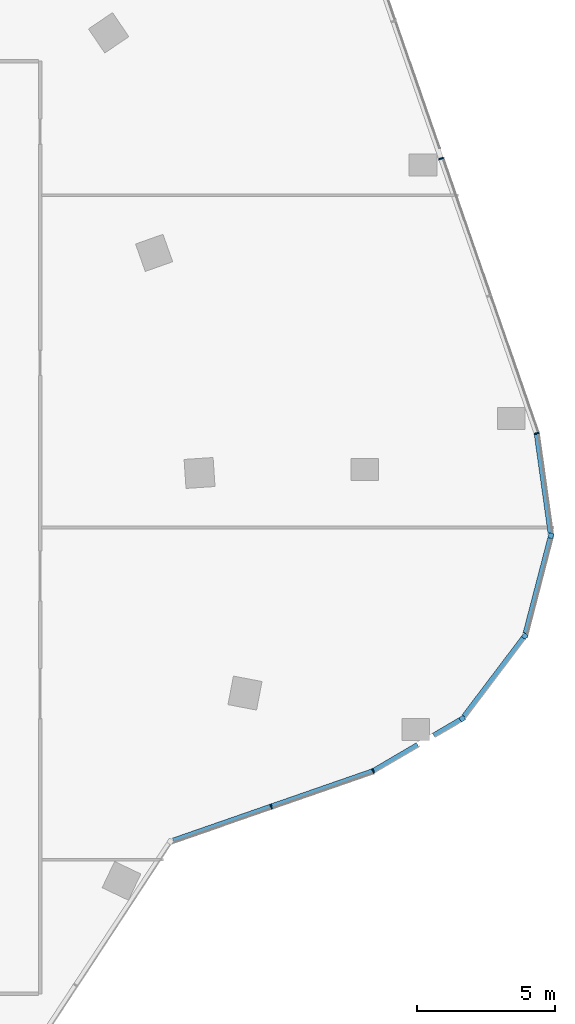
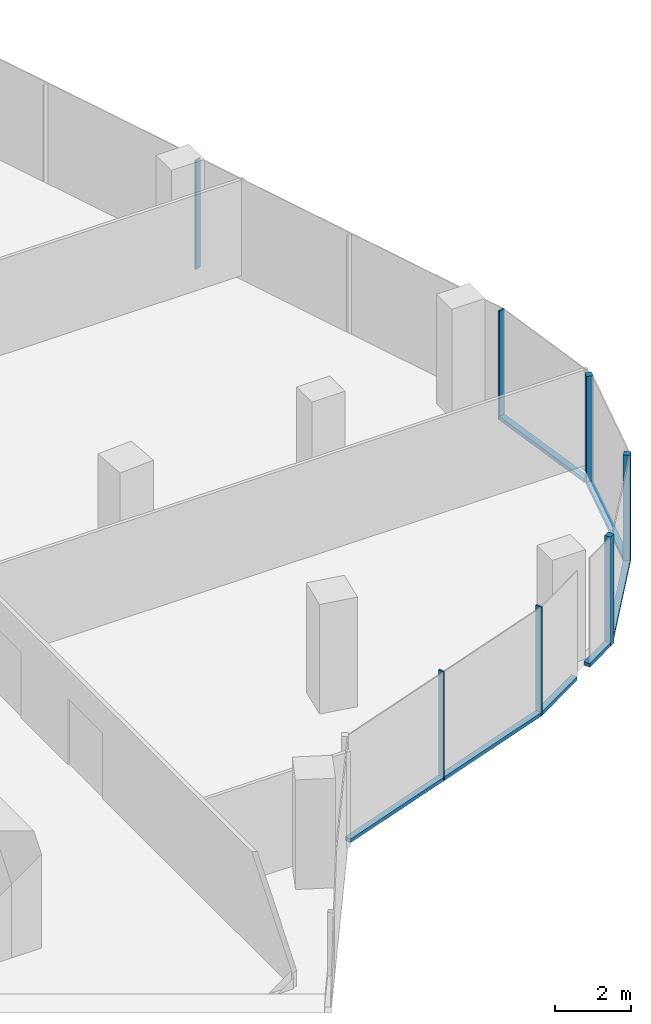
# One storey, part 8 of 24: 13 members, 6 elements without a shape of their own.
"""IFC4 building model written with IfcOpenShell, lengths in metres."""

from ifc_helpers import new_model, si_unit, direction, frame, origin, origin_2d, place, context, subcontext, project, spatial, rectangle, extrude, material, material_profile, profile_set, type_object, element, aggregate, save


model = new_model("IFC4")

# Units and contexts
model_context = context("Model", 3, precision=1e-05, world=origin(), true_north=direction((0.0, 1.0)))
body_context = subcontext(model_context, "Body", "Model", "MODEL_VIEW")
ifc_project = project(units=[si_unit("LENGTHUNIT", "METRE"), si_unit("AREAUNIT", "SQUARE_METRE"), si_unit("VOLUMEUNIT", "CUBIC_METRE"), si_unit("PLANEANGLEUNIT", "RADIAN"), si_unit("MASSUNIT", "GRAM", prefix="KILO")], contexts=[model_context])

# Site, building, storey
site_placement = place(None, origin())
site = spatial("IfcSite", under=ifc_project, at=site_placement, CompositionType="ELEMENT")
building_placement = place(site_placement, origin())
building = spatial("IfcBuilding", under=site, at=building_placement, Name="Orlundy Tower", CompositionType="ELEMENT")
storey_placement = place(building_placement, frame((0.0, 0.0, 246.0)))
storey = spatial("IfcBuildingStorey", under=building, at=storey_placement, Name="L65", CompositionType="ELEMENT", Elevation=246.0)

# Curtain wall, member
ifc_material_1 = material(Name="Aluminium bronze anodised", Category="aluminium")
curtain_wall_type = type_object("IfcCurtainWallType", Name="CW1 wall", PredefinedType="NOTDEFINED", material=ifc_material_1)
curtain_wall_1_placement = place(storey_placement, origin())
curtain_wall_1 = element("IfcCurtainWall", 1, at=curtain_wall_1_placement, inside=storey, type_object=curtain_wall_type, Name="CW1 run 025", PredefinedType="NOTDEFINED")
ifc_material_2 = material(Name="Aluminium bronze anodised", Category="aluminium")
ifc_material_profile_1 = material_profile(ifc_material_2, rectangle(XDim=0.179931640625, YDim=0.179931640625, at=origin_2d()), Name="CW1 corner post 180x180")
ifc_profile_set_1 = profile_set([ifc_material_profile_1], Name="Aluminium bronze anodised")
member_type_1 = type_object("IfcMemberType", Name="CW1 corner post 180x180", PredefinedType="MULLION", material=ifc_profile_set_1)
member_1_placement = place(storey_placement, frame((42.3046875, -0.29833984375, -0.39990234375), z_axis=(0.0, 0.0, 1.0), x_axis=(0.967797533004, -0.251729885218, 0.0)))
member_1 = element("IfcMember", 2, at=member_1_placement, type_object=member_type_1, Name="CW1 mullion 50", PredefinedType="MULLION", context=body_context, shape_type="SweptSolid", body=[
    extrude(rectangle(XDim=0.179931640625, YDim=0.179931640625, at=origin_2d()), origin(), (0.0, 0.0, 1.0), 3.47998046875),
])

curtain_wall_2_placement = place(storey_placement, origin())
curtain_wall_2 = element("IfcCurtainWall", 3, at=curtain_wall_2_placement, inside=storey, type_object=curtain_wall_type, Name="CW1 run 026", PredefinedType="NOTDEFINED")
member_2_placement = place(storey_placement, frame((41.362548828125, -3.919921875, -0.39990234375), z_axis=(0.0, 0.0, 1.0), x_axis=(0.797630845017, -0.603145948405, 0.0)))
member_2 = element("IfcMember", 4, at=member_2_placement, type_object=member_type_1, Name="CW1 mullion 51", PredefinedType="MULLION", context=body_context, shape_type="SweptSolid", body=[
    extrude(rectangle(XDim=0.179931640625, YDim=0.179931640625, at=origin_2d()), origin(), (0.0, 0.0, 1.0), 3.47998046875),
])

curtain_wall_3_placement = place(storey_placement, origin())
curtain_wall_3 = element("IfcCurtainWall", 5, at=curtain_wall_3_placement, inside=storey, type_object=curtain_wall_type, Name="CW1 run 027", PredefinedType="NOTDEFINED")
member_3_placement = place(storey_placement, frame((39.10498046875, -6.905517578125, -0.39990234375), z_axis=(0.0, 0.0, 1.0), x_axis=(0.506418670322, -0.862287730604, 0.0)))
member_3 = element("IfcMember", 6, at=member_3_placement, type_object=member_type_1, Name="CW1 mullion 52", PredefinedType="MULLION", context=body_context, shape_type="SweptSolid", body=[
    extrude(rectangle(XDim=0.179931640625, YDim=0.179931640625, at=origin_2d()), origin(), (0.0, 0.0, 1.0), 3.47998046875),
])

# Curtain wall, members
curtain_wall_4_placement = place(storey_placement, origin())
curtain_wall_4 = element("IfcCurtainWall", 7, at=curtain_wall_4_placement, inside=storey, type_object=curtain_wall_type, Name="CW1 run 00", PredefinedType="NOTDEFINED")
ifc_material_3 = material(Name="Aluminium bronze anodised", Category="aluminium")
ifc_material_profile_2 = material_profile(ifc_material_3, rectangle(XDim=0.179931640625, YDim=0.050048828125, at=origin_2d()), Name="CW1 mullion 50x180")
ifc_profile_set_2 = profile_set([ifc_material_profile_2], Name="Aluminium bronze anodised")
member_type_2 = type_object("IfcMemberType", Name="CW1 mullion 50x180", PredefinedType="MULLION", material=ifc_profile_set_2)
member_4_placement = place(storey_placement, frame((35.885986328125, -8.796142578125, -0.39990234375), z_axis=(0.0, 0.0, 1.0), x_axis=(0.419347091388, -0.907825983845, 0.0)))
member_4 = element("IfcMember", 8, at=member_4_placement, type_object=member_type_2, Name="CW1 mullion 1", PredefinedType="MULLION", context=body_context, shape_type="SweptSolid", body=[
    extrude(rectangle(XDim=0.179931640625, YDim=0.050048828125, at=origin_2d()), origin(), (0.0, 0.0, 1.0), 3.47998046875),
])
member_5_placement = place(storey_placement, frame((32.200927734375, -10.076416015625, -0.39990234375), z_axis=(0.0, 0.0, 1.0), x_axis=(0.328226635601, -0.944599002584, 0.0)))
member_5 = element("IfcMember", 9, at=member_5_placement, type_object=member_type_2, Name="CW1 mullion 2", PredefinedType="MULLION", context=body_context, shape_type="SweptSolid", body=[
    extrude(rectangle(XDim=0.179931640625, YDim=0.050048828125, at=origin_2d()), origin(), (0.0, 0.0, 1.0), 3.47998046875),
])

# Curtain wall, member
curtain_wall_5_placement = place(storey_placement, origin())
curtain_wall_5 = element("IfcCurtainWall", 10, at=curtain_wall_5_placement, inside=storey, type_object=curtain_wall_type, Name="CW1 run 023", PredefinedType="NOTDEFINED")
member_6_placement = place(storey_placement, frame((38.340087890625, 13.32666015625, -0.39990234375), z_axis=(0.0, 0.0, 1.0), x_axis=(0.944577712924, 0.328287898416, 0.0)))
member_6 = element("IfcMember", 11, at=member_6_placement, type_object=member_type_2, Name="CW1 mullion 47", PredefinedType="MULLION", context=body_context, shape_type="SweptSolid", body=[
    extrude(rectangle(XDim=0.179931640625, YDim=0.050048828125, at=origin_2d()), origin(), (0.0, 0.0, 1.0), 3.47998046875),
])
aggregate(curtain_wall_5, [member_6])

curtain_wall_6_placement = place(storey_placement, origin())
curtain_wall_6 = element("IfcCurtainWall", 12, at=curtain_wall_6_placement, inside=storey, type_object=curtain_wall_type, Name="CW1 run 024", PredefinedType="NOTDEFINED")
member_7_placement = place(storey_placement, frame((41.7900390625, 3.400146484375, -0.39990234375), z_axis=(0.0, 0.0, 1.0), x_axis=(0.972191666313, 0.234186600711, 0.0)))
member_7 = element("IfcMember", 13, at=member_7_placement, type_object=member_type_2, Name="CW1 mullion 49", PredefinedType="MULLION", context=body_context, shape_type="SweptSolid", body=[
    extrude(rectangle(XDim=0.179931640625, YDim=0.050048828125, at=origin_2d()), origin(), (0.0, 0.0, 1.0), 3.47998046875),
])

# Member
ifc_material_4 = material(Name="Aluminium bronze anodised", Category="aluminium")
ifc_material_profile_3 = material_profile(ifc_material_4, rectangle(XDim=0.179931640625, YDim=0.1201171875, at=origin_2d()), Name="CW1 transom 180x120")
ifc_profile_set_3 = profile_set([ifc_material_profile_3], Name="Aluminium bronze anodised")
member_type_3 = type_object("IfcMemberType", Name="CW1 transom 180x120", PredefinedType="USERDEFINED", material=ifc_profile_set_3)
member_8_placement = place(storey_placement, frame((35.8623046875, -8.804443359375, -0.340087890625), z_axis=(-0.944607769449, -0.328201404471, 0.0), x_axis=(0.328201404471, -0.944607769449, 0.0)))
member_8 = element("IfcMember", 14, at=member_8_placement, type_object=member_type_3, Name="CW1 transom", ObjectType="TRANSOM", PredefinedType="USERDEFINED", context=body_context, shape_type="SweptSolid", body=[
    extrude(rectangle(XDim=0.179931640625, YDim=0.1201171875, at=origin_2d()), origin(), (0.0, 0.0, 1.0), 7.6240234375),
])

aggregate(curtain_wall_4, [member_4, member_5, member_8])

member_9_placement = place(storey_placement, frame((41.79345703125, 3.375244140625, -0.340087890625), z_axis=(0.137833643701, -0.990455393576, 0.0), x_axis=(0.990455393576, 0.137833643701, 0.0)))
member_9 = element("IfcMember", 15, at=member_9_placement, type_object=member_type_3, Name="CW1 transom", ObjectType="TRANSOM", PredefinedType="USERDEFINED", context=body_context, shape_type="SweptSolid", body=[
    extrude(rectangle(XDim=0.179931640625, YDim=0.1201171875, at=origin_2d()), origin(), (0.0, 0.0, 1.0), 3.611572265625),
])

aggregate(curtain_wall_6, [member_7, member_9])

member_10_placement = place(storey_placement, frame((42.281982421875, -0.385498046875, -0.340087890625), z_axis=(-0.251720057279, -0.967800089256, 0.0), x_axis=(0.967800089256, -0.251720057279, 0.0)))
member_10 = element("IfcMember", 16, at=member_10_placement, type_object=member_type_3, Name="CW1 transom", ObjectType="TRANSOM", PredefinedType="USERDEFINED", context=body_context, shape_type="SweptSolid", body=[
    extrude(rectangle(XDim=0.179931640625, YDim=0.1201171875, at=origin_2d()), origin(), (0.0, 0.0, 1.0), 3.5546875),
])

aggregate(curtain_wall_1, [member_1, member_10])

member_11_placement = place(storey_placement, frame((41.308349609375, -3.99169921875, -0.340087890625), z_axis=(-0.603126388783, -0.797645635074, 0.0), x_axis=(0.797645635074, -0.603126388783, 0.0)))
member_11 = element("IfcMember", 17, at=member_11_placement, type_object=member_type_3, Name="CW1 transom", ObjectType="TRANSOM", PredefinedType="USERDEFINED", context=body_context, shape_type="SweptSolid", body=[
    extrude(rectangle(XDim=0.179931640625, YDim=0.1201171875, at=origin_2d()), origin(), (0.0, 0.0, 1.0), 3.5556640625),
])

aggregate(curtain_wall_2, [member_2, member_11])

member_12_placement = place(storey_placement, frame((39.02734375, -6.951171875, -0.340087890625), z_axis=(-0.862262925153, -0.506460904618, 0.0), x_axis=(0.506460904618, -0.862262925153, 0.0)))
member_12 = element("IfcMember", 18, at=member_12_placement, type_object=member_type_3, Name="CW1 transom", ObjectType="TRANSOM", PredefinedType="USERDEFINED", context=body_context, shape_type="SweptSolid", body=[
    extrude(rectangle(XDim=0.179931640625, YDim=0.1201171875, at=origin_2d()), origin(), (0.0, 0.0, 1.0), 1.106689453125),
])

member_13_placement = place(storey_placement, frame((37.493408203125, -7.85205078125, -0.340087890625), z_axis=(-0.862292301074, -0.506410888023, 0.0), x_axis=(0.506410888023, -0.862292301074, 0.0)))
member_13 = element("IfcMember", 19, at=member_13_placement, type_object=member_type_3, Name="CW1 transom", ObjectType="TRANSOM", PredefinedType="USERDEFINED", context=body_context, shape_type="SweptSolid", body=[
    extrude(rectangle(XDim=0.179931640625, YDim=0.1201171875, at=origin_2d()), origin(), (0.0, 0.0, 1.0), 1.839111328125),
])

aggregate(curtain_wall_3, [member_3, member_12, member_13])

save(model, "model.ifc")
